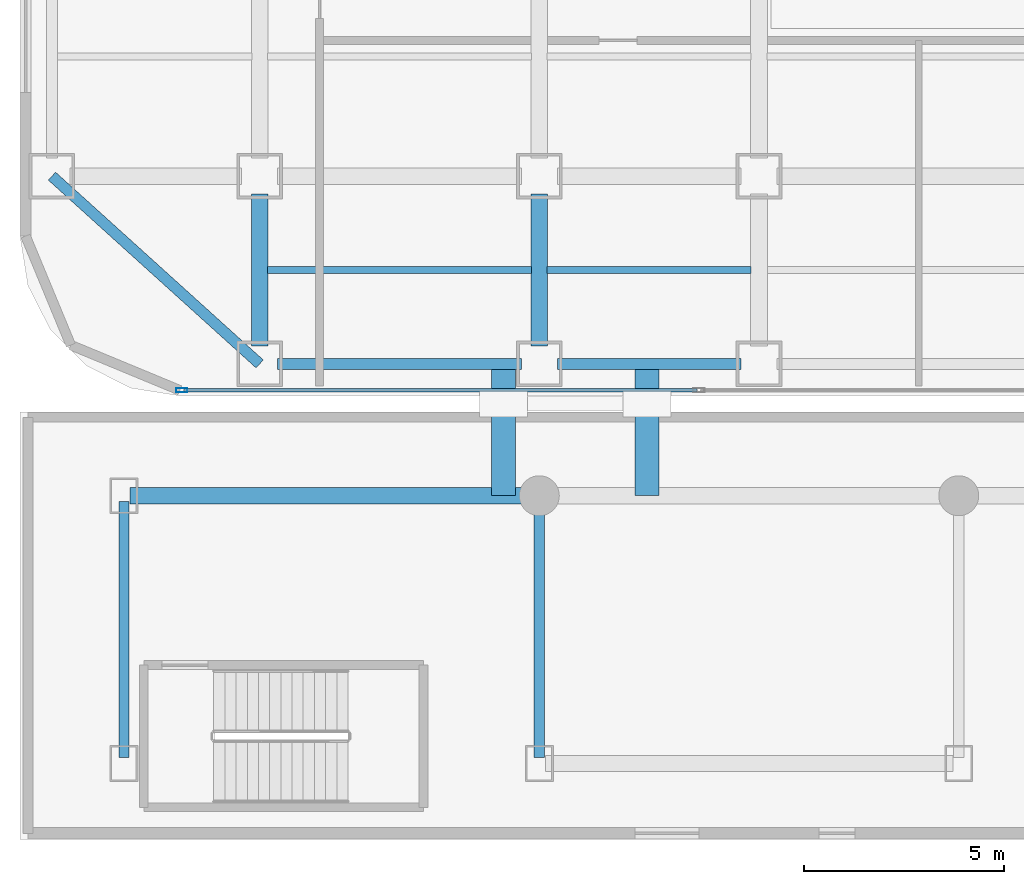
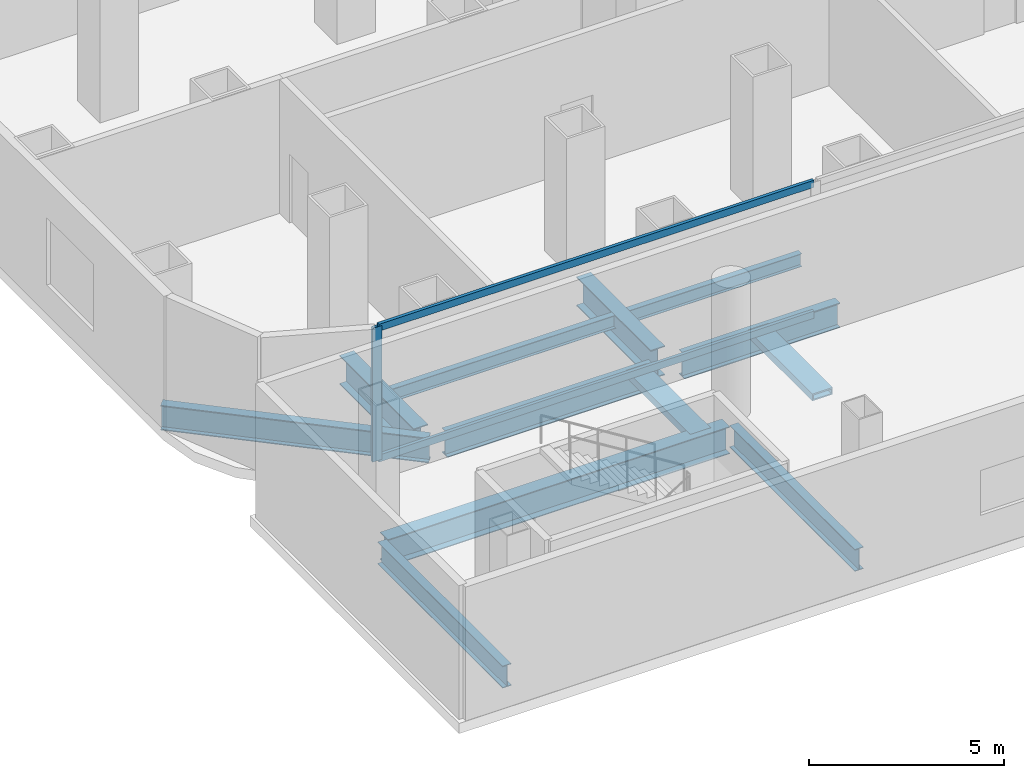
# One storey, part 6 of 26: 10 beams, 5 members, 1 element without a shape of its own.
"""IFC4 building model written with IfcOpenShell, lengths in metres."""

from ifc_helpers import new_model, si_unit, direction, frame, origin, origin_2d, place, context, subcontext, project, spatial, hollow_rectangle, i_section, extrude, source, transform, mapped, material, layer, layer_set, material_profile, profile_set, type_object, element, aggregate, save


model = new_model("IFC4")

# Units and contexts
model_context = context("Model", 3, precision=1e-05, world=origin(), true_north=direction((0.0, 1.0)))
body_context = subcontext(model_context, "Body", "Model", "MODEL_VIEW")
ifc_project = project(units=[si_unit("LENGTHUNIT", "METRE"), si_unit("AREAUNIT", "SQUARE_METRE"), si_unit("VOLUMEUNIT", "CUBIC_METRE"), si_unit("PLANEANGLEUNIT", "RADIAN"), si_unit("MASSUNIT", "GRAM", prefix="KILO")], contexts=[model_context])

# Site, building, storey
site_placement = place(None, origin())
site = spatial("IfcSite", under=ifc_project, at=site_placement, CompositionType="ELEMENT")
building_placement = place(site_placement, origin())
building = spatial("IfcBuilding", under=site, at=building_placement, Name="Kolveth Station Tower", CompositionType="ELEMENT")
storey_placement = place(building_placement, frame((0.0, 0.0, 4.5)))
storey = spatial("IfcBuildingStorey", under=building, at=storey_placement, Name="L01", CompositionType="ELEMENT", Elevation=4.5)

# Beams
ifc_material_1 = material(Name="Steel S355", Category="steel")
ifc_material_profile_1 = material_profile(ifc_material_1, i_section(OverallWidth=0.26904296875, OverallDepth=0.77490234375, WebThickness=0.01708984375, FlangeThickness=0.0283203125, at=origin_2d()), Name="W760x220")
ifc_profile_set_1 = profile_set([ifc_material_profile_1], Name="Steel S355")
beam_type_1 = type_object("IfcBeamType", Name="Beam_SP1", PredefinedType="SPANDREL", material=ifc_profile_set_1)
shared_shape_1 = source(origin(), body_context, "Body", "SweptSolid", [
    extrude(i_section(OverallWidth=0.26904296875, OverallDepth=0.77490234375, WebThickness=0.01708984375, FlangeThickness=0.0283203125, at=origin_2d()), origin(), (0.0, 0.0, 1.0), 6.10009765625),
])
beam_1_placement = place(storey_placement, frame((6.449951171875, 0.800048828125, -0.70751953125), z_axis=(1.0, 0.0, 0.0), x_axis=(0.0, 1.0, 0.0)))
element("IfcBeam", 1, at=beam_1_placement, inside=storey, type_object=beam_type_1, Name="L01 Perimeter Spandrel BM-L01-PS-1", PredefinedType="SPANDREL", context=body_context, shape_type="MappedRepresentation", body=[
    mapped(shared_shape_1, transform((0.0, 0.0, 0.0), x_axis=(1.0, 0.0, 0.0), y_axis=(0.0, 1.0, 0.0), z_axis=(0.0, 0.0, 1.0), scale=1.0)),
])
shared_shape_2 = source(origin(), body_context, "Body", "SweptSolid", [
    extrude(i_section(OverallWidth=0.26904296875, OverallDepth=0.77490234375, WebThickness=0.01708984375, FlangeThickness=0.0283203125, at=origin_2d()), origin(), (0.0, 0.0, 1.0), 4.60009765625),
])
beam_2_placement = place(storey_placement, frame((13.449951171875, 0.800048828125, -0.70751953125), z_axis=(1.0, 0.0, 0.0), x_axis=(0.0, 1.0, 0.0)))
element("IfcBeam", 2, at=beam_2_placement, inside=storey, type_object=beam_type_1, Name="L01 Perimeter Spandrel BM-L01-PS-2", PredefinedType="SPANDREL", context=body_context, shape_type="MappedRepresentation", body=[
    mapped(shared_shape_2, transform((0.0, 0.0, 0.0), x_axis=(1.0, 0.0, 0.0), y_axis=(0.0, 1.0, 0.0), z_axis=(0.0, 0.0, 1.0), scale=1.0)),
])
shared_shape_3 = source(origin(), body_context, "Body", "SweptSolid", [
    extrude(i_section(OverallWidth=0.26904296875, OverallDepth=0.77490234375, WebThickness=0.01708984375, FlangeThickness=0.0283203125, at=origin_2d()), origin(), (0.0, 0.0, 1.0), 7.00927734375),
])
beam_3_placement = place(storey_placement, frame((0.800048828125, 5.5, -0.70751953125), z_axis=(0.741874009795, -0.670539300557, 0.0), x_axis=(0.670539300557, 0.741874009795, 0.0)))
element("IfcBeam", 3, at=beam_3_placement, inside=storey, type_object=beam_type_1, Name="L01 Corner Edge Girder BM-L01-CNR-SW", PredefinedType="SPANDREL", context=body_context, shape_type="MappedRepresentation", body=[
    mapped(shared_shape_3, transform((0.0, 0.0, 0.0), x_axis=(1.0, 0.0, 0.0), y_axis=(0.0, 1.0, 0.0), z_axis=(0.0, 0.0, 1.0), scale=1.0)),
])
ifc_material_profile_2 = material_profile(ifc_material_1, i_section(OverallWidth=0.41796875, OverallDepth=0.912109375, WebThickness=0.019287109375, FlangeThickness=0.031982421875, at=origin_2d()), Name="W920x342")
ifc_profile_set_2 = profile_set([ifc_material_profile_2], Name="Steel S355")
beam_type_2 = type_object("IfcBeamType", Name="Beam_B1", PredefinedType="BEAM", material=ifc_profile_set_2)
shared_shape_4 = source(origin(), body_context, "Body", "SweptSolid", [
    extrude(i_section(OverallWidth=0.41796875, OverallDepth=0.912109375, WebThickness=0.019287109375, FlangeThickness=0.031982421875, at=origin_2d()), origin(), (0.0, 0.0, 1.0), 3.800048828125),
])
for number, where, z_axis, x_axis, name in (
    (4, (6.0, 1.25, -0.77587890625), (0.0, 1.0, 0.0), (-1.0, 0.0, 0.0), "L01 Primary Girder BM-L01-GX60-1"),
    (5, (13.0, 1.25, -0.77587890625), (0.0, 1.0, 0.0), (-1.0, 0.0, 0.0), "L01 Primary Girder BM-L01-GX130-1"),
):
    element("IfcBeam", number, at=place(storey_placement, frame(where, z_axis=z_axis, x_axis=x_axis)), inside=storey, type_object=beam_type_2, Name=name, PredefinedType="BEAM", context=body_context, shape_type="MappedRepresentation", body=[
        mapped(shared_shape_4, transform((0.0, 0.0, 0.0), x_axis=(1.0, 0.0, 0.0), y_axis=(0.0, 1.0, 0.0), z_axis=(0.0, 0.0, 1.0), scale=1.0)),
    ])
ifc_material_profile_3 = material_profile(ifc_material_1, i_section(OverallWidth=0.177978515625, OverallDepth=0.406982421875, WebThickness=0.0078125, FlangeThickness=0.0126953125, at=origin_2d()), Name="W410x60")
ifc_profile_set_3 = profile_set([ifc_material_profile_3], Name="Steel S355")
beam_type_3 = type_object("IfcBeamType", Name="Beam_J1", PredefinedType="JOIST", material=ifc_profile_set_3)
shared_shape_5 = source(origin(), body_context, "Body", "SweptSolid", [
    extrude(i_section(OverallWidth=0.177978515625, OverallDepth=0.406982421875, WebThickness=0.0078125, FlangeThickness=0.0126953125, at=origin_2d()), origin(), (0.0, 0.0, 1.0), 6.60986328125),
])
beam_4_placement = place(storey_placement, frame((6.195068359375, 3.14990234375, -0.5234375), z_axis=(1.0, 0.0, 0.0), x_axis=(0.0, 1.0, 0.0)))
element("IfcBeam", 6, at=beam_4_placement, inside=storey, type_object=beam_type_3, Name="L01 Secondary Joist JST-L01-2-1", PredefinedType="JOIST", context=body_context, shape_type="MappedRepresentation", body=[
    mapped(shared_shape_5, transform((0.0, 0.0, 0.0), x_axis=(1.0, 0.0, 0.0), y_axis=(0.0, 1.0, 0.0), z_axis=(0.0, 0.0, 1.0), scale=1.0)),
])
shared_shape_6 = source(origin(), body_context, "Body", "SweptSolid", [
    extrude(i_section(OverallWidth=0.177978515625, OverallDepth=0.406982421875, WebThickness=0.0078125, FlangeThickness=0.0126953125, at=origin_2d()), origin(), (0.0, 0.0, 1.0), 5.10986328125),
])
beam_5_placement = place(storey_placement, frame((13.195068359375, 3.14990234375, -0.5234375), z_axis=(1.0, 0.0, 0.0), x_axis=(0.0, 1.0, 0.0)))
element("IfcBeam", 7, at=beam_5_placement, inside=storey, type_object=beam_type_3, Name="L01 Secondary Joist JST-L01-3-1", PredefinedType="JOIST", context=body_context, shape_type="MappedRepresentation", body=[
    mapped(shared_shape_6, transform((0.0, 0.0, 0.0), x_axis=(1.0, 0.0, 0.0), y_axis=(0.0, 1.0, 0.0), z_axis=(0.0, 0.0, 1.0), scale=1.0)),
])
ifc_material_profile_4 = material_profile(ifc_material_1, i_section(OverallWidth=0.40087890625, OverallDepth=0.85107421875, WebThickness=0.01611328125, FlangeThickness=0.025390625, at=origin_2d()), Name="W840x226")
ifc_profile_set_4 = profile_set([ifc_material_profile_4], Name="Steel S355")
beam_type_4 = type_object("IfcBeamType", Name="Beam_B2", PredefinedType="BEAM", material=ifc_profile_set_4)
shared_shape_7 = source(origin(), body_context, "Body", "SweptSolid", [
    extrude(i_section(OverallWidth=0.40087890625, OverallDepth=0.85107421875, WebThickness=0.01611328125, FlangeThickness=0.025390625, at=origin_2d()), origin(), (0.0, 0.0, 1.0), 10.10009765625),
])
beam_6_placement = place(storey_placement, frame((2.75, -2.5, -0.74560546875), z_axis=(1.0, 0.0, 0.0), x_axis=(0.0, 1.0, 0.0)))
element("IfcBeam", 8, at=beam_6_placement, inside=storey, type_object=beam_type_4, Name="L01 Station Concourse Girder SBM-L01-SL2-1", PredefinedType="BEAM", context=body_context, shape_type="MappedRepresentation", body=[
    mapped(shared_shape_7, transform((0.0, 0.0, 0.0), x_axis=(1.0, 0.0, 0.0), y_axis=(0.0, 1.0, 0.0), z_axis=(0.0, 0.0, 1.0), scale=1.0)),
])
ifc_material_profile_5 = material_profile(ifc_material_1, i_section(OverallWidth=0.25390625, OverallDepth=0.68798828125, WebThickness=0.01318359375, FlangeThickness=0.02099609375, at=origin_2d()), Name="W690x152")
ifc_profile_set_5 = profile_set([ifc_material_profile_5], Name="Steel S355")
beam_type_5 = type_object("IfcBeamType", Name="Beam_B4", PredefinedType="BEAM", material=ifc_profile_set_5)
shared_shape_8 = source(origin(), body_context, "Body", "SweptSolid", [
    extrude(i_section(OverallWidth=0.25390625, OverallDepth=0.68798828125, WebThickness=0.01318359375, FlangeThickness=0.02099609375, at=origin_2d()), origin(), (0.0, 0.0, 1.0), 6.400146484375),
])
for number, where, z_axis, x_axis, name in (
    (9, (2.60009765625, -9.050048828125, -0.6640625), (0.0, 1.0, 0.0), (-1.0, 0.0, 0.0), "L01 Station Transverse Beam SBM-L01-ST-1"),
    (10, (13.0, -9.050048828125, -0.6640625), (0.0, 1.0, 0.0), (-1.0, 0.0, 0.0), "L01 Station Transverse Beam SBM-L01-ST-2"),
):
    element("IfcBeam", number, at=place(storey_placement, frame(where, z_axis=z_axis, x_axis=x_axis)), inside=storey, type_object=beam_type_5, Name=name, PredefinedType="BEAM", context=body_context, shape_type="MappedRepresentation", body=[
        mapped(shared_shape_8, transform((0.0, 0.0, 0.0), x_axis=(1.0, 0.0, 0.0), y_axis=(0.0, 1.0, 0.0), z_axis=(0.0, 0.0, 1.0), scale=1.0)),
    ])

# Members
ifc_material_2 = material(Name="Steel S355 and PTFE elastomer", Category="steel")
ifc_material_profile_6 = material_profile(ifc_material_2, hollow_rectangle(XDim=0.60009765625, YDim=0.219970703125, WallThickness=0.0400390625, at=origin_2d()), Name="PTFE-BEARING-750x600")
ifc_profile_set_6 = profile_set([ifc_material_profile_6], Name="Steel S355 and PTFE elastomer")
member_type_1 = type_object("IfcMemberType", Name="Mem_BRG1", PredefinedType="USERDEFINED", material=ifc_profile_set_6)
shared_shape_9 = source(origin(), body_context, "Body", "SweptSolid", [
    extrude(hollow_rectangle(XDim=0.60009765625, YDim=0.219970703125, WallThickness=0.0400390625, at=origin_2d()), origin(), (0.0, 0.0, 1.0), 3.300048828125),
])
for number, where, z_axis, x_axis, name in (
    (11, (12.10009765625, -2.5, -0.429931640625), (0.0, 1.0, 0.0), (-1.0, 0.0, 0.0), "L01 Unguided PTFE Sliding Bearing 1.1"),
    (12, (15.699951171875, -2.5, -0.429931640625), (0.0, 1.0, 0.0), (-1.0, 0.0, 0.0), "L01 Unguided PTFE Sliding Bearing 1.2"),
):
    element("IfcMember", number, at=place(storey_placement, frame(where, z_axis=z_axis, x_axis=x_axis)), inside=storey, type_object=member_type_1, Name=name, ObjectType="BEARING", PredefinedType="USERDEFINED", context=body_context, shape_type="MappedRepresentation", body=[
        mapped(shared_shape_9, transform((0.0, 0.0, 0.0), x_axis=(1.0, 0.0, 0.0), y_axis=(0.0, 1.0, 0.0), z_axis=(0.0, 0.0, 1.0), scale=1.0)),
    ])

# Curtain wall, members
ifc_material_3 = material(Name="Black anodized aluminium 6063-T6 and clear station glass", Category="aluminium")
ifc_layer = layer(ifc_material_3, 0.239990234375)
ifc_layer_set = layer_set([ifc_layer], Name="Black anodized aluminium 6063-T6 and clear station glass")
curtain_wall_type = type_object("IfcCurtainWallType", Name="CurtainWall_CW-ST", PredefinedType="NOTDEFINED", material=ifc_layer_set)
curtain_wall_placement = place(storey_placement, origin())
curtain_wall = element("IfcCurtainWall", 13, at=curtain_wall_placement, inside=storey, type_object=curtain_wall_type, Name="L01 Tower Podium South Storefront Curtain Wall", PredefinedType="NOTDEFINED")
ifc_material_4 = material(Name="Black anodized aluminium 6063-T6", Category="aluminium")
ifc_material_profile_7 = material_profile(ifc_material_4, hollow_rectangle(XDim=0.10009765625, YDim=0.280029296875, WallThickness=0.0048828125, at=origin_2d()), Name="ALU-100x280x5")
ifc_profile_set_7 = profile_set([ifc_material_profile_7], Name="Black anodized aluminium 6063-T6")
member_type_2 = type_object("IfcMemberType", Name="Mullion_ML-ST", PredefinedType="MULLION", material=ifc_profile_set_7)
shared_shape_10 = source(origin(), body_context, "Body", "SweptSolid", [
    extrude(hollow_rectangle(XDim=0.10009765625, YDim=0.280029296875, WallThickness=0.0048828125, at=origin_2d()), origin(), (0.0, 0.0, 1.0), 4.179931640625),
])
member_1_placement = place(storey_placement, frame((4.050048828125, 0.139892578125, 0.0), z_axis=(0.0, 0.0, 1.0), x_axis=(0.0, 1.0, 0.0)))
member_1 = element("IfcMember", 14, at=member_1_placement, type_object=member_type_2, Name="CW-ST mullion 1", PredefinedType="MULLION", context=body_context, shape_type="MappedRepresentation", body=[
    mapped(shared_shape_10, transform((0.0, 0.0, 0.0), x_axis=(1.0, 0.0, 0.0), y_axis=(0.0, 1.0, 0.0), z_axis=(0.0, 0.0, 1.0), scale=1.0)),
])
ifc_material_profile_8 = material_profile(ifc_material_4, hollow_rectangle(XDim=0.094970703125, YDim=0.219970703125, WallThickness=0.0048828125, at=origin_2d()), Name="ALU-95x220x5")
ifc_profile_set_8 = profile_set([ifc_material_profile_8], Name="Black anodized aluminium 6063-T6")
member_type_3 = type_object("IfcMemberType", Name="Transom_TR-ST", PredefinedType="USERDEFINED", material=ifc_profile_set_8)
shared_shape_11 = source(origin(), body_context, "Body", "SweptSolid", [
    extrude(hollow_rectangle(XDim=0.094970703125, YDim=0.219970703125, WallThickness=0.0048828125, at=origin_2d()), origin(), (0.0, 0.0, 1.0), 12.849853515625),
])
member_2_placement = place(storey_placement, frame((4.10009765625, 0.139892578125, 0.047607421875), z_axis=(1.0, 0.0, 0.0), x_axis=(0.0, 1.0, 0.0)))
member_2 = element("IfcMember", 15, at=member_2_placement, type_object=member_type_3, Name="CW-ST transom 1.1", ObjectType="TRANSOM", PredefinedType="USERDEFINED", context=body_context, shape_type="MappedRepresentation", body=[
    mapped(shared_shape_11, transform((0.0, 0.0, 0.0), x_axis=(1.0, 0.0, 0.0), y_axis=(0.0, 1.0, 0.0), z_axis=(0.0, 0.0, 1.0), scale=1.0)),
])
member_3_placement = place(storey_placement, frame((4.10009765625, 0.139892578125, 4.132568359375), z_axis=(1.0, 0.0, 0.0), x_axis=(0.0, 1.0, 0.0)))
member_3 = element("IfcMember", 16, at=member_3_placement, type_object=member_type_3, Name="CW-ST transom 1.2", ObjectType="TRANSOM", PredefinedType="USERDEFINED", context=body_context, shape_type="MappedRepresentation", body=[
    mapped(shared_shape_11, transform((0.0, 0.0, 0.0), x_axis=(1.0, 0.0, 0.0), y_axis=(0.0, 1.0, 0.0), z_axis=(0.0, 0.0, 1.0), scale=1.0)),
])
aggregate(curtain_wall, [member_1, member_2, member_3])

save(model, "model.ifc")
